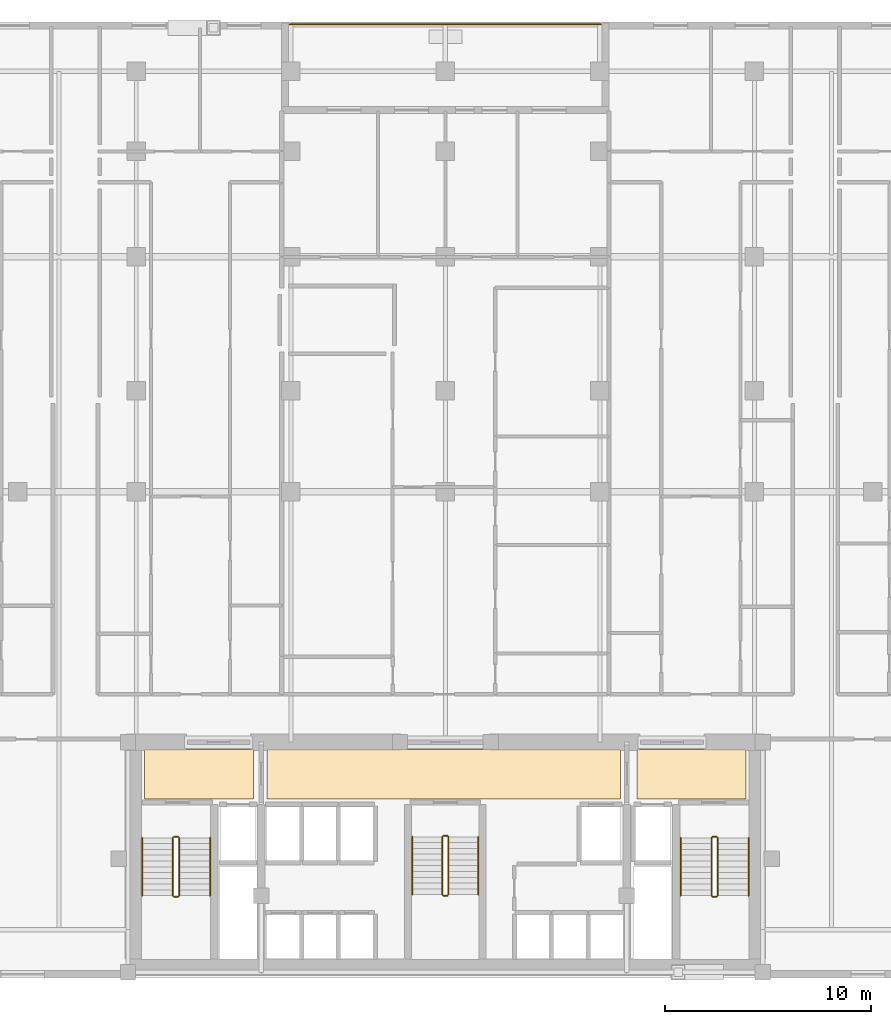
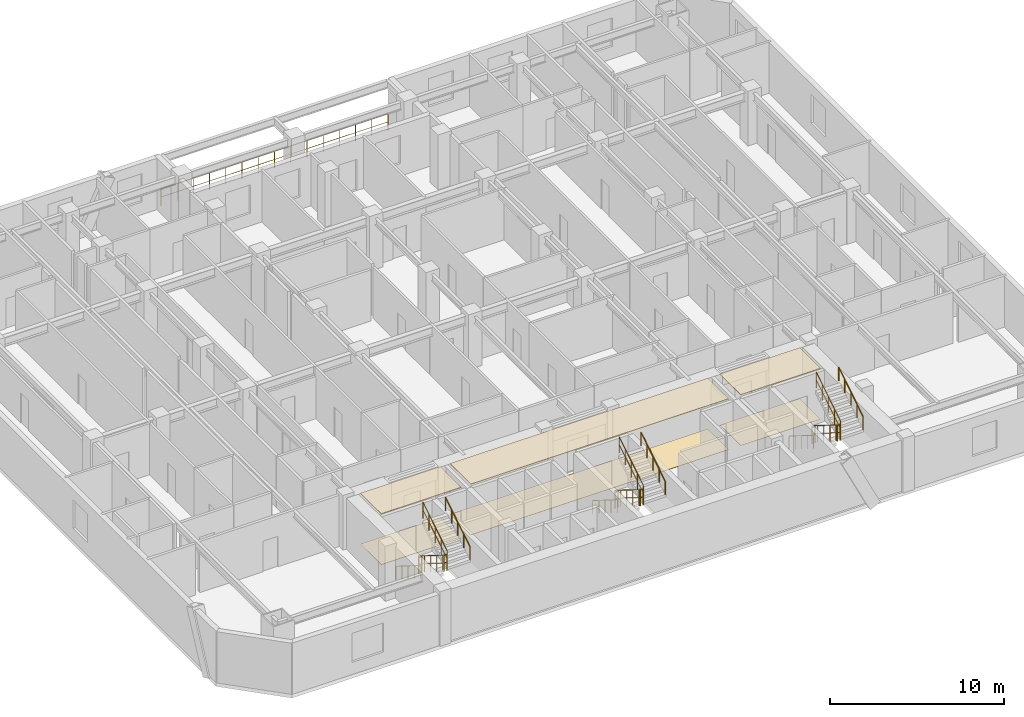
# One storey, part 10 of 10: 19 railings, 6 coverings.
"""IFC4 building model written with IfcOpenShell, lengths in metres."""

from ifc_helpers import new_model, si_unit, direction, frame, origin, origin_2d, place, context, subcontext, project, spatial, polyline, circle, outline, extrude, material, layer, layer_set, type_object, element, save


model = new_model("IFC4")

# Units and contexts
model_context = context("Model", 3, precision=1e-05, world=origin(), true_north=direction((0.0, 1.0)))
body_context = subcontext(model_context, "Body", "Model", "MODEL_VIEW")
ifc_project = project(units=[si_unit("LENGTHUNIT", "METRE"), si_unit("AREAUNIT", "SQUARE_METRE"), si_unit("VOLUMEUNIT", "CUBIC_METRE"), si_unit("PLANEANGLEUNIT", "RADIAN"), si_unit("MASSUNIT", "GRAM", prefix="KILO")], contexts=[model_context])

# Site, building, storey
site_placement = place(None, origin())
site = spatial("IfcSite", under=ifc_project, at=site_placement, CompositionType="ELEMENT")
building_placement = place(site_placement, origin())
building = spatial("IfcBuilding", under=site, at=building_placement, Name="Ventersveld Concourse Tower", CompositionType="ELEMENT")
storey_placement = place(building_placement, frame((0.0, 0.0, 64.449951171875)))
storey = spatial("IfcBuildingStorey", under=building, at=storey_placement, Name="L15", CompositionType="ELEMENT", Elevation=64.449951171875)

# Coverings
ifc_material_1 = material(Name="Mineral-fibre acoustic ceiling tile", Category="gypsum")
ifc_layer_1 = layer(ifc_material_1, 0.0400390625)
ifc_layer_set_1 = layer_set([ifc_layer_1], Name="Mineral-fibre acoustic ceiling tile")
covering_type_1 = type_object("IfcCoveringType", Name="COV-CEIL-ACOUSTIC", PredefinedType="CEILING", material=ifc_layer_set_1)
covering_1_placement = place(storey_placement, frame((0.0, 0.0, 3.56005859375)))
element("IfcCovering", 1, at=covering_1_placement, inside=storey, type_object=covering_type_1, Name="L15 North Lift Lobby Acoustic Ceiling", PredefinedType="CEILING", context=body_context, shape_type="SweptSolid", body=[
    extrude(outline(polyline([(20.10009765625, 8.699951171875), (37.25, 8.699951171875), (37.25, 11.10009765625), (20.10009765625, 11.10009765625), (20.10009765625, 8.699951171875)])), origin(), (0.0, 0.0, 1.0), 0.0400390625),
])
covering_2_placement = place(storey_placement, frame((0.0, 0.0, 3.56005859375)))
element("IfcCovering", 2, at=covering_2_placement, inside=storey, type_object=covering_type_1, Name="L15 West Firefighting Lobby Acoustic Ceiling", PredefinedType="CEILING", context=body_context, shape_type="SweptSolid", body=[
    extrude(outline(polyline([(14.14990234375, 8.699951171875), (19.449951171875, 8.699951171875), (19.449951171875, 11.10009765625), (14.14990234375, 11.10009765625), (14.14990234375, 8.699951171875)])), origin(), (0.0, 0.0, 1.0), 0.0400390625),
])
covering_3_placement = place(storey_placement, frame((0.0, 0.0, 3.56005859375)))
element("IfcCovering", 3, at=covering_3_placement, inside=storey, type_object=covering_type_1, Name="L15 East Firefighting Lobby Acoustic Ceiling", PredefinedType="CEILING", context=body_context, shape_type="SweptSolid", body=[
    extrude(outline(polyline([(38.050048828125, 8.699951171875), (43.35009765625, 8.699951171875), (43.35009765625, 11.10009765625), (38.050048828125, 11.10009765625), (38.050048828125, 8.699951171875)])), origin(), (0.0, 0.0, 1.0), 0.0400390625),
])
ifc_material_2 = material(Name="Polished Highveld granite terrazzo", Category="masonry")
ifc_layer_2 = layer(ifc_material_2, 0.02001953125)
ifc_layer_set_2 = layer_set([ifc_layer_2], Name="Polished Highveld granite terrazzo")
covering_type_2 = type_object("IfcCoveringType", Name="COV-FLOOR-TERRAZZO", PredefinedType="FLOORING", material=ifc_layer_set_2)
covering_4_placement = place(storey_placement, origin())
element("IfcCovering", 4, at=covering_4_placement, inside=storey, type_object=covering_type_2, Name="L15 North Lift Lobby Terrazzo Flooring", PredefinedType="FLOORING", context=body_context, shape_type="SweptSolid", body=[
    extrude(outline(polyline([(20.10009765625, 8.699951171875), (37.25, 8.699951171875), (37.25, 11.10009765625), (20.10009765625, 11.10009765625), (20.10009765625, 8.699951171875)])), origin(), (0.0, 0.0, 1.0), 0.02001953125),
])
covering_5_placement = place(storey_placement, origin())
element("IfcCovering", 5, at=covering_5_placement, inside=storey, type_object=covering_type_2, Name="L15 West Firefighting Lobby Terrazzo Flooring", PredefinedType="FLOORING", context=body_context, shape_type="SweptSolid", body=[
    extrude(outline(polyline([(14.14990234375, 8.699951171875), (19.449951171875, 8.699951171875), (19.449951171875, 11.10009765625), (14.14990234375, 11.10009765625), (14.14990234375, 8.699951171875)])), origin(), (0.0, 0.0, 1.0), 0.02001953125),
])
covering_6_placement = place(storey_placement, origin())
element("IfcCovering", 6, at=covering_6_placement, inside=storey, type_object=covering_type_2, Name="L15 East Firefighting Lobby Terrazzo Flooring", PredefinedType="FLOORING", context=body_context, shape_type="SweptSolid", body=[
    extrude(outline(polyline([(38.050048828125, 8.699951171875), (43.35009765625, 8.699951171875), (43.35009765625, 11.10009765625), (38.050048828125, 11.10009765625), (38.050048828125, 8.699951171875)])), origin(), (0.0, 0.0, 1.0), 0.02001953125),
])

# Railings
ifc_material_3 = material(Name="Brushed stainless steel 316", Category="steel")
railing_type_1 = type_object("IfcRailingType", Name="GD-BAL-115", PredefinedType="GUARDRAIL", material=ifc_material_3)
railing_1_placement = place(storey_placement, frame((15.530029296875, 6.800048828125, 0.175048828125)))
element("IfcRailing", 7, at=railing_1_placement, inside=storey, type_object=railing_type_1, Name="L15 ST-01 stair guard 1", PredefinedType="GUARDRAIL", context=body_context, shape_type="SweptSolid", body=[
    extrude(circle(Radius=0.02392578125, at=origin_2d()), frame((0.0, 0.0, 1.1259765625), z_axis=(0.0, -0.848002457836, 0.529992293815), x_axis=(1.0, 0.0, 0.0)), (0.0, 0.0, 1.0), 3.302001953125),
    extrude(circle(Radius=0.01611328125, at=origin_2d()), frame((0.0, 0.0, 0.574951171875), z_axis=(0.0, -0.848002457836, 0.529992293815), x_axis=(1.0, 0.0, 0.0)), (0.0, 0.0, 1.0), 3.302001953125),
    extrude(circle(Radius=0.02099609375, at=origin_2d()), origin(), (0.0, 0.0, 1.0), 1.101806640625),
    extrude(circle(Radius=0.02099609375, at=origin_2d()), frame((0.0, -0.699951171875, 0.4375)), (0.0, 0.0, 1.0), 1.101806640625),
    extrude(circle(Radius=0.02099609375, at=origin_2d()), frame((0.0, -1.39990234375, 0.875)), (0.0, 0.0, 1.0), 1.101806640625),
    extrude(circle(Radius=0.02099609375, at=origin_2d()), frame((0.0, -2.10009765625, 1.3125)), (0.0, 0.0, 1.0), 1.101806640625),
    extrude(circle(Radius=0.02099609375, at=origin_2d()), frame((0.0, -2.800048828125, 1.75)), (0.0, 0.0, 1.0), 1.101806640625),
])
railing_2_placement = place(storey_placement, frame((15.580078125, 3.949951171875, 1.925048828125)))
element("IfcRailing", 8, at=railing_2_placement, inside=storey, type_object=railing_type_1, Name="L15 ST-01 stair guard 2", PredefinedType="GUARDRAIL", context=body_context, shape_type="SweptSolid", body=[
    extrude(circle(Radius=0.02392578125, at=origin_2d()), frame((0.0, 0.0, 1.1259765625), z_axis=(1.0, 0.0, 0.0), x_axis=(0.0, 1.0, 0.0)), (0.0, 0.0, 1.0), 0.199951171875),
    extrude(circle(Radius=0.01611328125, at=origin_2d()), frame((0.0, 0.0, 0.574951171875), z_axis=(1.0, 0.0, 0.0), x_axis=(0.0, 1.0, 0.0)), (0.0, 0.0, 1.0), 0.199951171875),
    extrude(circle(Radius=0.02099609375, at=origin_2d()), origin(), (0.0, 0.0, 1.0), 1.101806640625),
    extrude(circle(Radius=0.02099609375, at=origin_2d()), frame((0.199951171875, 0.0, 0.0)), (0.0, 0.0, 1.0), 1.101806640625),
])
railing_3_placement = place(storey_placement, frame((15.830078125, 4.0, 2.10009765625)))
element("IfcRailing", 9, at=railing_3_placement, inside=storey, type_object=railing_type_1, Name="L15 ST-01 stair guard 3", PredefinedType="GUARDRAIL", context=body_context, shape_type="SweptSolid", body=[
    extrude(circle(Radius=0.02392578125, at=origin_2d()), frame((0.0, 0.0, 1.1259765625), z_axis=(0.0, 0.848002457836, 0.529992293815), x_axis=(-1.0, 0.0, 0.0)), (0.0, 0.0, 1.0), 3.302001953125),
    extrude(circle(Radius=0.01611328125, at=origin_2d()), frame((0.0, 0.0, 0.574951171875), z_axis=(0.0, 0.848002457836, 0.529992293815), x_axis=(-1.0, 0.0, 0.0)), (0.0, 0.0, 1.0), 3.302001953125),
    extrude(circle(Radius=0.02099609375, at=origin_2d()), origin(), (0.0, 0.0, 1.0), 1.101806640625),
    extrude(circle(Radius=0.02099609375, at=origin_2d()), frame((0.0, 0.699951171875, 0.4375)), (0.0, 0.0, 1.0), 1.101806640625),
    extrude(circle(Radius=0.02099609375, at=origin_2d()), frame((0.0, 1.39990234375, 0.875)), (0.0, 0.0, 1.0), 1.101806640625),
    extrude(circle(Radius=0.02099609375, at=origin_2d()), frame((0.0, 2.10009765625, 1.3125)), (0.0, 0.0, 1.0), 1.101806640625),
    extrude(circle(Radius=0.02099609375, at=origin_2d()), frame((0.0, 2.800048828125, 1.75)), (0.0, 0.0, 1.0), 1.101806640625),
])
railing_4_placement = place(storey_placement, frame((15.580078125, 6.85009765625, 0.0)))
element("IfcRailing", 10, at=railing_4_placement, inside=storey, type_object=railing_type_1, Name="L15 ST-01 stair guard 4", PredefinedType="GUARDRAIL", context=body_context, shape_type="SweptSolid", body=[
    extrude(circle(Radius=0.02392578125, at=origin_2d()), frame((0.0, 0.0, 1.1259765625), z_axis=(1.0, 0.0, 0.0), x_axis=(0.0, 1.0, 0.0)), (0.0, 0.0, 1.0), 0.199951171875),
    extrude(circle(Radius=0.01611328125, at=origin_2d()), frame((0.0, 0.0, 0.574951171875), z_axis=(1.0, 0.0, 0.0), x_axis=(0.0, 1.0, 0.0)), (0.0, 0.0, 1.0), 0.199951171875),
    extrude(circle(Radius=0.02099609375, at=origin_2d()), origin(), (0.0, 0.0, 1.0), 1.101806640625),
    extrude(circle(Radius=0.02099609375, at=origin_2d()), frame((0.199951171875, 0.0, 0.0)), (0.0, 0.0, 1.0), 1.101806640625),
])
railing_5_placement = place(storey_placement, frame((41.669921875, 6.800048828125, 0.175048828125)))
element("IfcRailing", 11, at=railing_5_placement, inside=storey, type_object=railing_type_1, Name="L15 ST-02 stair guard 1", PredefinedType="GUARDRAIL", context=body_context, shape_type="SweptSolid", body=[
    extrude(circle(Radius=0.02392578125, at=origin_2d()), frame((0.0, 0.0, 1.1259765625), z_axis=(0.0, -0.848002457836, 0.529992293815), x_axis=(1.0, 0.0, 0.0)), (0.0, 0.0, 1.0), 3.302001953125),
    extrude(circle(Radius=0.01611328125, at=origin_2d()), frame((0.0, 0.0, 0.574951171875), z_axis=(0.0, -0.848002457836, 0.529992293815), x_axis=(1.0, 0.0, 0.0)), (0.0, 0.0, 1.0), 3.302001953125),
    extrude(circle(Radius=0.02099609375, at=origin_2d()), origin(), (0.0, 0.0, 1.0), 1.101806640625),
    extrude(circle(Radius=0.02099609375, at=origin_2d()), frame((0.0, -0.699951171875, 0.4375)), (0.0, 0.0, 1.0), 1.101806640625),
    extrude(circle(Radius=0.02099609375, at=origin_2d()), frame((0.0, -1.39990234375, 0.875)), (0.0, 0.0, 1.0), 1.101806640625),
    extrude(circle(Radius=0.02099609375, at=origin_2d()), frame((0.0, -2.10009765625, 1.3125)), (0.0, 0.0, 1.0), 1.101806640625),
    extrude(circle(Radius=0.02099609375, at=origin_2d()), frame((0.0, -2.800048828125, 1.75)), (0.0, 0.0, 1.0), 1.101806640625),
])
railing_6_placement = place(storey_placement, frame((41.719970703125, 3.949951171875, 1.925048828125)))
element("IfcRailing", 12, at=railing_6_placement, inside=storey, type_object=railing_type_1, Name="L15 ST-02 stair guard 2", PredefinedType="GUARDRAIL", context=body_context, shape_type="SweptSolid", body=[
    extrude(circle(Radius=0.02392578125, at=origin_2d()), frame((0.0, 0.0, 1.1259765625), z_axis=(1.0, 0.0, 0.0), x_axis=(0.0, 1.0, 0.0)), (0.0, 0.0, 1.0), 0.199951171875),
    extrude(circle(Radius=0.01611328125, at=origin_2d()), frame((0.0, 0.0, 0.574951171875), z_axis=(1.0, 0.0, 0.0), x_axis=(0.0, 1.0, 0.0)), (0.0, 0.0, 1.0), 0.199951171875),
    extrude(circle(Radius=0.02099609375, at=origin_2d()), origin(), (0.0, 0.0, 1.0), 1.101806640625),
    extrude(circle(Radius=0.02099609375, at=origin_2d()), frame((0.199951171875, 0.0, 0.0)), (0.0, 0.0, 1.0), 1.101806640625),
])
railing_7_placement = place(storey_placement, frame((41.969970703125, 4.0, 2.10009765625)))
element("IfcRailing", 13, at=railing_7_placement, inside=storey, type_object=railing_type_1, Name="L15 ST-02 stair guard 3", PredefinedType="GUARDRAIL", context=body_context, shape_type="SweptSolid", body=[
    extrude(circle(Radius=0.02392578125, at=origin_2d()), frame((0.0, 0.0, 1.1259765625), z_axis=(0.0, 0.848002457836, 0.529992293815), x_axis=(-1.0, 0.0, 0.0)), (0.0, 0.0, 1.0), 3.302001953125),
    extrude(circle(Radius=0.01611328125, at=origin_2d()), frame((0.0, 0.0, 0.574951171875), z_axis=(0.0, 0.848002457836, 0.529992293815), x_axis=(-1.0, 0.0, 0.0)), (0.0, 0.0, 1.0), 3.302001953125),
    extrude(circle(Radius=0.02099609375, at=origin_2d()), origin(), (0.0, 0.0, 1.0), 1.101806640625),
    extrude(circle(Radius=0.02099609375, at=origin_2d()), frame((0.0, 0.699951171875, 0.4375)), (0.0, 0.0, 1.0), 1.101806640625),
    extrude(circle(Radius=0.02099609375, at=origin_2d()), frame((0.0, 1.39990234375, 0.875)), (0.0, 0.0, 1.0), 1.101806640625),
    extrude(circle(Radius=0.02099609375, at=origin_2d()), frame((0.0, 2.10009765625, 1.3125)), (0.0, 0.0, 1.0), 1.101806640625),
    extrude(circle(Radius=0.02099609375, at=origin_2d()), frame((0.0, 2.800048828125, 1.75)), (0.0, 0.0, 1.0), 1.101806640625),
])
railing_8_placement = place(storey_placement, frame((41.719970703125, 6.85009765625, 0.0)))
element("IfcRailing", 14, at=railing_8_placement, inside=storey, type_object=railing_type_1, Name="L15 ST-02 stair guard 4", PredefinedType="GUARDRAIL", context=body_context, shape_type="SweptSolid", body=[
    extrude(circle(Radius=0.02392578125, at=origin_2d()), frame((0.0, 0.0, 1.1259765625), z_axis=(1.0, 0.0, 0.0), x_axis=(0.0, 1.0, 0.0)), (0.0, 0.0, 1.0), 0.199951171875),
    extrude(circle(Radius=0.01611328125, at=origin_2d()), frame((0.0, 0.0, 0.574951171875), z_axis=(1.0, 0.0, 0.0), x_axis=(0.0, 1.0, 0.0)), (0.0, 0.0, 1.0), 0.199951171875),
    extrude(circle(Radius=0.02099609375, at=origin_2d()), origin(), (0.0, 0.0, 1.0), 1.101806640625),
    extrude(circle(Radius=0.02099609375, at=origin_2d()), frame((0.199951171875, 0.0, 0.0)), (0.0, 0.0, 1.0), 1.101806640625),
])
railing_9_placement = place(storey_placement, frame((28.60009765625, 6.85009765625, 0.175048828125)))
element("IfcRailing", 15, at=railing_9_placement, inside=storey, type_object=railing_type_1, Name="L15 ST-03 stair guard 1", PredefinedType="GUARDRAIL", context=body_context, shape_type="SweptSolid", body=[
    extrude(circle(Radius=0.02392578125, at=origin_2d()), frame((0.0, 0.0, 1.1259765625), z_axis=(0.0, -0.848002457836, 0.529992293815), x_axis=(1.0, 0.0, 0.0)), (0.0, 0.0, 1.0), 3.302001953125),
    extrude(circle(Radius=0.01611328125, at=origin_2d()), frame((0.0, 0.0, 0.574951171875), z_axis=(0.0, -0.848002457836, 0.529992293815), x_axis=(1.0, 0.0, 0.0)), (0.0, 0.0, 1.0), 3.302001953125),
    extrude(circle(Radius=0.02099609375, at=origin_2d()), origin(), (0.0, 0.0, 1.0), 1.101806640625),
    extrude(circle(Radius=0.02099609375, at=origin_2d()), frame((0.0, -0.699951171875, 0.4375)), (0.0, 0.0, 1.0), 1.101806640625),
    extrude(circle(Radius=0.02099609375, at=origin_2d()), frame((0.0, -1.39990234375, 0.875)), (0.0, 0.0, 1.0), 1.101806640625),
    extrude(circle(Radius=0.02099609375, at=origin_2d()), frame((0.0, -2.10009765625, 1.3125)), (0.0, 0.0, 1.0), 1.101806640625),
    extrude(circle(Radius=0.02099609375, at=origin_2d()), frame((0.0, -2.800048828125, 1.75)), (0.0, 0.0, 1.0), 1.101806640625),
])
railing_10_placement = place(storey_placement, frame((28.64990234375, 4.0, 1.925048828125)))
element("IfcRailing", 16, at=railing_10_placement, inside=storey, type_object=railing_type_1, Name="L15 ST-03 stair guard 2", PredefinedType="GUARDRAIL", context=body_context, shape_type="SweptSolid", body=[
    extrude(circle(Radius=0.02392578125, at=origin_2d()), frame((0.0, 0.0, 1.1259765625), z_axis=(1.0, 0.0, 0.0), x_axis=(0.0, 1.0, 0.0)), (0.0, 0.0, 1.0), 0.2001953125),
    extrude(circle(Radius=0.01611328125, at=origin_2d()), frame((0.0, 0.0, 0.574951171875), z_axis=(1.0, 0.0, 0.0), x_axis=(0.0, 1.0, 0.0)), (0.0, 0.0, 1.0), 0.2001953125),
    extrude(circle(Radius=0.02099609375, at=origin_2d()), origin(), (0.0, 0.0, 1.0), 1.101806640625),
    extrude(circle(Radius=0.02099609375, at=origin_2d()), frame((0.2001953125, 0.0, 0.0)), (0.0, 0.0, 1.0), 1.101806640625),
])
railing_11_placement = place(storey_placement, frame((28.89990234375, 4.050048828125, 2.10009765625)))
element("IfcRailing", 17, at=railing_11_placement, inside=storey, type_object=railing_type_1, Name="L15 ST-03 stair guard 3", PredefinedType="GUARDRAIL", context=body_context, shape_type="SweptSolid", body=[
    extrude(circle(Radius=0.02392578125, at=origin_2d()), frame((0.0, 0.0, 1.1259765625), z_axis=(0.0, 0.848002457836, 0.529992293815), x_axis=(-1.0, 0.0, 0.0)), (0.0, 0.0, 1.0), 3.302001953125),
    extrude(circle(Radius=0.01611328125, at=origin_2d()), frame((0.0, 0.0, 0.574951171875), z_axis=(0.0, 0.848002457836, 0.529992293815), x_axis=(-1.0, 0.0, 0.0)), (0.0, 0.0, 1.0), 3.302001953125),
    extrude(circle(Radius=0.02099609375, at=origin_2d()), origin(), (0.0, 0.0, 1.0), 1.101806640625),
    extrude(circle(Radius=0.02099609375, at=origin_2d()), frame((0.0, 0.699951171875, 0.4375)), (0.0, 0.0, 1.0), 1.101806640625),
    extrude(circle(Radius=0.02099609375, at=origin_2d()), frame((0.0, 1.39990234375, 0.875)), (0.0, 0.0, 1.0), 1.101806640625),
    extrude(circle(Radius=0.02099609375, at=origin_2d()), frame((0.0, 2.10009765625, 1.3125)), (0.0, 0.0, 1.0), 1.101806640625),
    extrude(circle(Radius=0.02099609375, at=origin_2d()), frame((0.0, 2.800048828125, 1.75)), (0.0, 0.0, 1.0), 1.101806640625),
])
railing_12_placement = place(storey_placement, frame((28.64990234375, 6.89990234375, 0.0)))
element("IfcRailing", 18, at=railing_12_placement, inside=storey, type_object=railing_type_1, Name="L15 ST-03 stair guard 4", PredefinedType="GUARDRAIL", context=body_context, shape_type="SweptSolid", body=[
    extrude(circle(Radius=0.02392578125, at=origin_2d()), frame((0.0, 0.0, 1.1259765625), z_axis=(1.0, 0.0, 0.0), x_axis=(0.0, 1.0, 0.0)), (0.0, 0.0, 1.0), 0.2001953125),
    extrude(circle(Radius=0.01611328125, at=origin_2d()), frame((0.0, 0.0, 0.574951171875), z_axis=(1.0, 0.0, 0.0), x_axis=(0.0, 1.0, 0.0)), (0.0, 0.0, 1.0), 0.2001953125),
    extrude(circle(Radius=0.02099609375, at=origin_2d()), origin(), (0.0, 0.0, 1.0), 1.101806640625),
    extrude(circle(Radius=0.02099609375, at=origin_2d()), frame((0.2001953125, 0.0, 0.0)), (0.0, 0.0, 1.0), 1.101806640625),
])
railing_type_2 = type_object("IfcRailingType", Name="GD-TER-120", PredefinedType="GUARDRAIL", material=ifc_material_3)
railing_13_placement = place(storey_placement, frame((21.199951171875, 46.280029296875, 0.0)))
element("IfcRailing", 19, at=railing_13_placement, inside=storey, type_object=railing_type_2, Name="L15 Outdoor Terrace Guardrail NOTCH-N", PredefinedType="GUARDRAIL", context=body_context, shape_type="SweptSolid", body=[
    extrude(circle(Radius=0.02392578125, at=origin_2d()), frame((0.0, 0.0, 1.17578125), z_axis=(1.0, 0.0, 0.0), x_axis=(0.0, 1.0, 0.0)), (0.0, 0.0, 1.0), 15.10009765625),
    extrude(circle(Radius=0.01611328125, at=origin_2d()), frame((0.0, 0.0, 0.60009765625), z_axis=(1.0, 0.0, 0.0), x_axis=(0.0, 1.0, 0.0)), (0.0, 0.0, 1.0), 15.10009765625),
    extrude(circle(Radius=0.02099609375, at=origin_2d()), origin(), (0.0, 0.0, 1.0), 1.15185546875),
    extrude(circle(Radius=0.02099609375, at=origin_2d()), frame((1.07861328125, 0.0, 0.0)), (0.0, 0.0, 1.0), 1.15185546875),
    extrude(circle(Radius=0.02099609375, at=origin_2d()), frame((2.1572265625, 0.0, 0.0)), (0.0, 0.0, 1.0), 1.15185546875),
    extrude(circle(Radius=0.02099609375, at=origin_2d()), frame((3.23583984375, 0.0, 0.0)), (0.0, 0.0, 1.0), 1.15185546875),
    extrude(circle(Radius=0.02099609375, at=origin_2d()), frame((4.314208984375, 0.0, 0.0)), (0.0, 0.0, 1.0), 1.15185546875),
    extrude(circle(Radius=0.02099609375, at=origin_2d()), frame((5.392822265625, 0.0, 0.0)), (0.0, 0.0, 1.0), 1.15185546875),
    extrude(circle(Radius=0.02099609375, at=origin_2d()), frame((6.471435546875, 0.0, 0.0)), (0.0, 0.0, 1.0), 1.15185546875),
    extrude(circle(Radius=0.02099609375, at=origin_2d()), frame((7.550048828125, 0.0, 0.0)), (0.0, 0.0, 1.0), 1.15185546875),
    extrude(circle(Radius=0.02099609375, at=origin_2d()), frame((8.628662109375, 0.0, 0.0)), (0.0, 0.0, 1.0), 1.15185546875),
    extrude(circle(Radius=0.02099609375, at=origin_2d()), frame((9.707275390625, 0.0, 0.0)), (0.0, 0.0, 1.0), 1.15185546875),
    extrude(circle(Radius=0.02099609375, at=origin_2d()), frame((10.785888671875, 0.0, 0.0)), (0.0, 0.0, 1.0), 1.15185546875),
    extrude(circle(Radius=0.02099609375, at=origin_2d()), frame((11.8642578125, 0.0, 0.0)), (0.0, 0.0, 1.0), 1.15185546875),
    extrude(circle(Radius=0.02099609375, at=origin_2d()), frame((12.94287109375, 0.0, 0.0)), (0.0, 0.0, 1.0), 1.15185546875),
    extrude(circle(Radius=0.02099609375, at=origin_2d()), frame((14.021484375, 0.0, 0.0)), (0.0, 0.0, 1.0), 1.15185546875),
    extrude(circle(Radius=0.02099609375, at=origin_2d()), frame((15.10009765625, 0.0, 0.0)), (0.0, 0.0, 1.0), 1.15185546875),
])
railing_type_3 = type_object("IfcRailingType", Name="HR-RMP-095", PredefinedType="HANDRAIL", material=ifc_material_3)
railing_14_placement = place(storey_placement, frame((14.030029296875, 6.800048828125, 0.175048828125)))
element("IfcRailing", 20, at=railing_14_placement, inside=storey, type_object=railing_type_3, Name="L15 ST-01 stair handrail 1", PredefinedType="HANDRAIL", context=body_context, shape_type="SweptSolid", body=[
    extrude(circle(Radius=0.02392578125, at=origin_2d()), frame((0.0, 0.0, 0.92578125), z_axis=(0.0, -0.848002457836, 0.529992293815), x_axis=(1.0, 0.0, 0.0)), (0.0, 0.0, 1.0), 3.302001953125),
    extrude(circle(Radius=0.02099609375, at=origin_2d()), origin(), (0.0, 0.0, 1.0), 0.90185546875),
    extrude(circle(Radius=0.02099609375, at=origin_2d()), frame((0.0, -0.699951171875, 0.4375)), (0.0, 0.0, 1.0), 0.90185546875),
    extrude(circle(Radius=0.02099609375, at=origin_2d()), frame((0.0, -1.39990234375, 0.875)), (0.0, 0.0, 1.0), 0.90185546875),
    extrude(circle(Radius=0.02099609375, at=origin_2d()), frame((0.0, -2.10009765625, 1.3125)), (0.0, 0.0, 1.0), 0.90185546875),
    extrude(circle(Radius=0.02099609375, at=origin_2d()), frame((0.0, -2.800048828125, 1.75)), (0.0, 0.0, 1.0), 0.90185546875),
])
railing_15_placement = place(storey_placement, frame((17.330078125, 4.0, 2.10009765625)))
element("IfcRailing", 21, at=railing_15_placement, inside=storey, type_object=railing_type_3, Name="L15 ST-01 stair handrail 2", PredefinedType="HANDRAIL", context=body_context, shape_type="SweptSolid", body=[
    extrude(circle(Radius=0.02392578125, at=origin_2d()), frame((0.0, 0.0, 0.92578125), z_axis=(0.0, 0.848002457836, 0.529992293815), x_axis=(-1.0, 0.0, 0.0)), (0.0, 0.0, 1.0), 3.302001953125),
    extrude(circle(Radius=0.02099609375, at=origin_2d()), origin(), (0.0, 0.0, 1.0), 0.90185546875),
    extrude(circle(Radius=0.02099609375, at=origin_2d()), frame((0.0, 0.699951171875, 0.4375)), (0.0, 0.0, 1.0), 0.90185546875),
    extrude(circle(Radius=0.02099609375, at=origin_2d()), frame((0.0, 1.39990234375, 0.875)), (0.0, 0.0, 1.0), 0.90185546875),
    extrude(circle(Radius=0.02099609375, at=origin_2d()), frame((0.0, 2.10009765625, 1.3125)), (0.0, 0.0, 1.0), 0.90185546875),
    extrude(circle(Radius=0.02099609375, at=origin_2d()), frame((0.0, 2.800048828125, 1.75)), (0.0, 0.0, 1.0), 0.90185546875),
])
railing_16_placement = place(storey_placement, frame((40.169921875, 6.800048828125, 0.175048828125)))
element("IfcRailing", 22, at=railing_16_placement, inside=storey, type_object=railing_type_3, Name="L15 ST-02 stair handrail 1", PredefinedType="HANDRAIL", context=body_context, shape_type="SweptSolid", body=[
    extrude(circle(Radius=0.02392578125, at=origin_2d()), frame((0.0, 0.0, 0.92578125), z_axis=(0.0, -0.848002457836, 0.529992293815), x_axis=(1.0, 0.0, 0.0)), (0.0, 0.0, 1.0), 3.302001953125),
    extrude(circle(Radius=0.02099609375, at=origin_2d()), origin(), (0.0, 0.0, 1.0), 0.90185546875),
    extrude(circle(Radius=0.02099609375, at=origin_2d()), frame((0.0, -0.699951171875, 0.4375)), (0.0, 0.0, 1.0), 0.90185546875),
    extrude(circle(Radius=0.02099609375, at=origin_2d()), frame((0.0, -1.39990234375, 0.875)), (0.0, 0.0, 1.0), 0.90185546875),
    extrude(circle(Radius=0.02099609375, at=origin_2d()), frame((0.0, -2.10009765625, 1.3125)), (0.0, 0.0, 1.0), 0.90185546875),
    extrude(circle(Radius=0.02099609375, at=origin_2d()), frame((0.0, -2.800048828125, 1.75)), (0.0, 0.0, 1.0), 0.90185546875),
])
railing_17_placement = place(storey_placement, frame((43.469970703125, 4.0, 2.10009765625)))
element("IfcRailing", 23, at=railing_17_placement, inside=storey, type_object=railing_type_3, Name="L15 ST-02 stair handrail 2", PredefinedType="HANDRAIL", context=body_context, shape_type="SweptSolid", body=[
    extrude(circle(Radius=0.02392578125, at=origin_2d()), frame((0.0, 0.0, 0.92578125), z_axis=(0.0, 0.848002457836, 0.529992293815), x_axis=(-1.0, 0.0, 0.0)), (0.0, 0.0, 1.0), 3.302001953125),
    extrude(circle(Radius=0.02099609375, at=origin_2d()), origin(), (0.0, 0.0, 1.0), 0.90185546875),
    extrude(circle(Radius=0.02099609375, at=origin_2d()), frame((0.0, 0.699951171875, 0.4375)), (0.0, 0.0, 1.0), 0.90185546875),
    extrude(circle(Radius=0.02099609375, at=origin_2d()), frame((0.0, 1.39990234375, 0.875)), (0.0, 0.0, 1.0), 0.90185546875),
    extrude(circle(Radius=0.02099609375, at=origin_2d()), frame((0.0, 2.10009765625, 1.3125)), (0.0, 0.0, 1.0), 0.90185546875),
    extrude(circle(Radius=0.02099609375, at=origin_2d()), frame((0.0, 2.800048828125, 1.75)), (0.0, 0.0, 1.0), 0.90185546875),
])
railing_18_placement = place(storey_placement, frame((27.14990234375, 6.85009765625, 0.175048828125)))
element("IfcRailing", 24, at=railing_18_placement, inside=storey, type_object=railing_type_3, Name="L15 ST-03 stair handrail 1", PredefinedType="HANDRAIL", context=body_context, shape_type="SweptSolid", body=[
    extrude(circle(Radius=0.02392578125, at=origin_2d()), frame((0.0, 0.0, 0.92578125), z_axis=(0.0, -0.848002457836, 0.529992293815), x_axis=(1.0, 0.0, 0.0)), (0.0, 0.0, 1.0), 3.302001953125),
    extrude(circle(Radius=0.02099609375, at=origin_2d()), origin(), (0.0, 0.0, 1.0), 0.90185546875),
    extrude(circle(Radius=0.02099609375, at=origin_2d()), frame((0.0, -0.699951171875, 0.4375)), (0.0, 0.0, 1.0), 0.90185546875),
    extrude(circle(Radius=0.02099609375, at=origin_2d()), frame((0.0, -1.39990234375, 0.875)), (0.0, 0.0, 1.0), 0.90185546875),
    extrude(circle(Radius=0.02099609375, at=origin_2d()), frame((0.0, -2.10009765625, 1.3125)), (0.0, 0.0, 1.0), 0.90185546875),
    extrude(circle(Radius=0.02099609375, at=origin_2d()), frame((0.0, -2.800048828125, 1.75)), (0.0, 0.0, 1.0), 0.90185546875),
])
railing_19_placement = place(storey_placement, frame((30.35009765625, 4.050048828125, 2.10009765625)))
element("IfcRailing", 25, at=railing_19_placement, inside=storey, type_object=railing_type_3, Name="L15 ST-03 stair handrail 2", PredefinedType="HANDRAIL", context=body_context, shape_type="SweptSolid", body=[
    extrude(circle(Radius=0.02392578125, at=origin_2d()), frame((0.0, 0.0, 0.92578125), z_axis=(0.0, 0.848002457836, 0.529992293815), x_axis=(-1.0, 0.0, 0.0)), (0.0, 0.0, 1.0), 3.302001953125),
    extrude(circle(Radius=0.02099609375, at=origin_2d()), origin(), (0.0, 0.0, 1.0), 0.90185546875),
    extrude(circle(Radius=0.02099609375, at=origin_2d()), frame((0.0, 0.699951171875, 0.4375)), (0.0, 0.0, 1.0), 0.90185546875),
    extrude(circle(Radius=0.02099609375, at=origin_2d()), frame((0.0, 1.39990234375, 0.875)), (0.0, 0.0, 1.0), 0.90185546875),
    extrude(circle(Radius=0.02099609375, at=origin_2d()), frame((0.0, 2.10009765625, 1.3125)), (0.0, 0.0, 1.0), 0.90185546875),
    extrude(circle(Radius=0.02099609375, at=origin_2d()), frame((0.0, 2.800048828125, 1.75)), (0.0, 0.0, 1.0), 0.90185546875),
])

save(model, "model.ifc")
